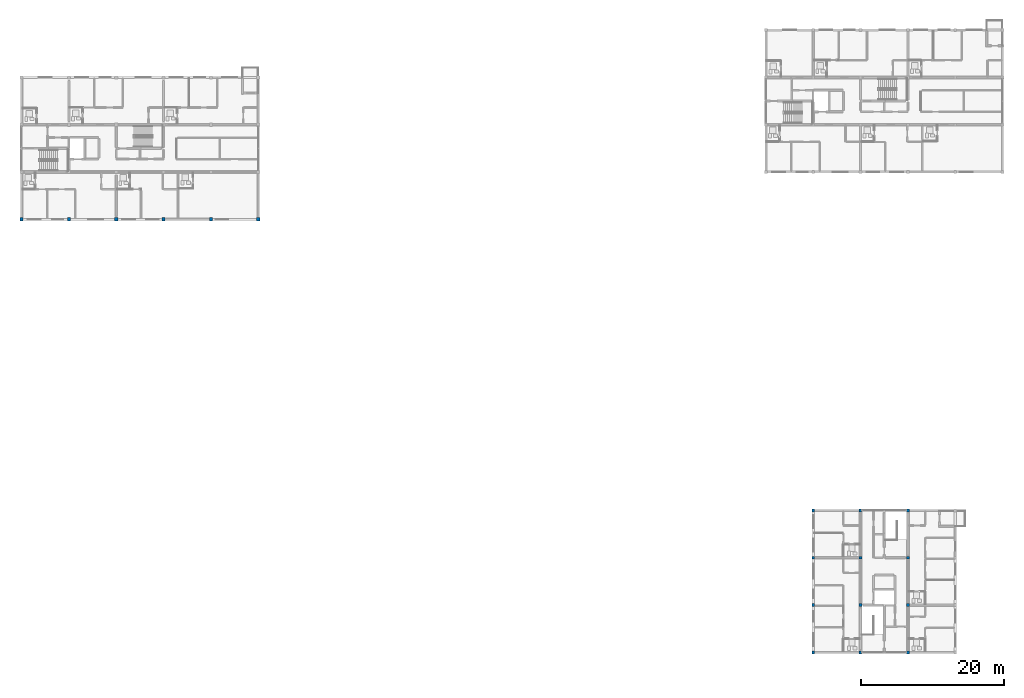
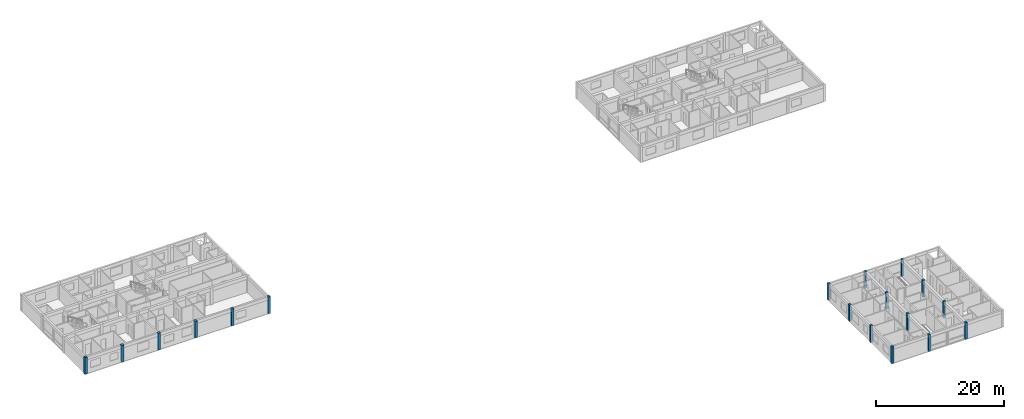
# One storey, part 1 of 34: 18 columns.
"""IFC4 building model written with IfcOpenShell, lengths in metres."""

from ifc_helpers import new_model, si_unit, direction, frame, origin, origin_2d, place, context, subcontext, project, spatial, rectangle, extrude, material, material_profile, profile_set, type_object, element, save


model = new_model("IFC4")

# Units and contexts
model_context = context("Model", 3, precision=1e-05, world=origin(), true_north=direction((0.0, 1.0)))
body_context = subcontext(model_context, "Body", "Model", "MODEL_VIEW")
ifc_project = project(units=[si_unit("LENGTHUNIT", "METRE"), si_unit("AREAUNIT", "SQUARE_METRE"), si_unit("VOLUMEUNIT", "CUBIC_METRE"), si_unit("PLANEANGLEUNIT", "RADIAN"), si_unit("MASSUNIT", "GRAM", prefix="KILO")], contexts=[model_context])

# Site, building, storey
site_placement = place(None, origin())
site = spatial("IfcSite", under=ifc_project, at=site_placement, CompositionType="ELEMENT")
building_placement = place(site_placement, origin())
building = spatial("IfcBuilding", under=site, at=building_placement, Name="Kernevlak Ridge Housing Community", CompositionType="ELEMENT")
storey_placement = place(building_placement, frame((0.0, 0.0, 40.39990234375)))
storey = spatial("IfcBuildingStorey", under=building, at=storey_placement, Name="L12", CompositionType="ELEMENT", Elevation=40.39990234375)

# Columns
ifc_material = material(Name="Concrete C35/45", Category="concrete")
ifc_material_profile_1 = material_profile(ifc_material, rectangle(XDim=0.449951171875, YDim=0.449951171875, at=origin_2d()), Name="RC 450x450")
ifc_profile_set_1 = profile_set([ifc_material_profile_1], Name="Concrete C35/45")
column_type_1 = type_object("IfcColumnType", Name="C-04", PredefinedType="COLUMN", material=ifc_profile_set_1)
for number, where, z_axis, x_axis, name in (
    (1, (15.60009765625, 76.0, 0.0), (0.0, 0.0, 1.0), (1.0, 0.0, 0.0), "Column C-04 COL-A-L12-00-0"),
    (2, (22.199951171875, 76.0, 0.0), (0.0, 0.0, 1.0), (1.0, 0.0, 0.0), "Column C-04 COL-A-L12-01-0"),
    (3, (28.800048828125, 76.0, 0.0), (0.0, 0.0, 1.0), (1.0, 0.0, 0.0), "Column C-04 COL-A-L12-02-0"),
    (4, (35.39990234375, 76.0, 0.0), (0.0, 0.0, 1.0), (1.0, 0.0, 0.0), "Column C-04 COL-A-L12-03-0"),
    (5, (42.0, 76.0, 0.0), (0.0, 0.0, 1.0), (1.0, 0.0, 0.0), "Column C-04 COL-A-L12-04-0"),
    (6, (48.60009765625, 76.0, 0.0), (0.0, 0.0, 1.0), (1.0, 0.0, 0.0), "Column C-04 COL-A-L12-05-0"),
):
    element("IfcColumn", number, at=place(storey_placement, frame(where, z_axis=z_axis, x_axis=x_axis)), inside=storey, type_object=column_type_1, Name=name, PredefinedType="COLUMN", context=body_context, shape_type="SweptSolid", body=[
        extrude(rectangle(XDim=0.449951171875, YDim=0.449951171875, at=origin_2d()), origin(), (0.0, 0.0, 1.0), 3.2001953125),
    ])
ifc_material_profile_2 = material_profile(ifc_material, rectangle(XDim=0.39990234375, YDim=0.39990234375, at=origin_2d()), Name="RC 400x400")
ifc_profile_set_2 = profile_set([ifc_material_profile_2], Name="Concrete C35/45")
column_type_2 = type_object("IfcColumnType", Name="C-05", PredefinedType="COLUMN", material=ifc_profile_set_2)
for number, where, z_axis, x_axis, name in (
    (7, (126.0, 15.60009765625, 0.0), (0.0, 0.0, 1.0), (1.0, 0.0, 0.0), "Column C-05 COL-C-L12-00-0"),
    (8, (132.60009765625, 15.60009765625, 0.0), (0.0, 0.0, 1.0), (1.0, 0.0, 0.0), "Column C-05 COL-C-L12-00-1"),
    (9, (139.199951171875, 15.60009765625, 0.0), (0.0, 0.0, 1.0), (1.0, 0.0, 0.0), "Column C-05 COL-C-L12-00-2"),
    (10, (126.0, 22.199951171875, 0.0), (0.0, 0.0, 1.0), (1.0, 0.0, 0.0), "Column C-05 COL-C-L12-01-0"),
    (11, (132.60009765625, 22.199951171875, 0.0), (0.0, 0.0, 1.0), (1.0, 0.0, 0.0), "Column C-05 COL-C-L12-01-1"),
    (12, (139.199951171875, 22.199951171875, 0.0), (0.0, 0.0, 1.0), (1.0, 0.0, 0.0), "Column C-05 COL-C-L12-01-2"),
    (13, (126.0, 28.800048828125, 0.0), (0.0, 0.0, 1.0), (1.0, 0.0, 0.0), "Column C-05 COL-C-L12-02-0"),
    (14, (132.60009765625, 28.800048828125, 0.0), (0.0, 0.0, 1.0), (1.0, 0.0, 0.0), "Column C-05 COL-C-L12-02-1"),
    (15, (139.199951171875, 28.800048828125, 0.0), (0.0, 0.0, 1.0), (1.0, 0.0, 0.0), "Column C-05 COL-C-L12-02-2"),
    (16, (126.0, 35.39990234375, 0.0), (0.0, 0.0, 1.0), (1.0, 0.0, 0.0), "Column C-05 COL-C-L12-03-0"),
    (17, (132.60009765625, 35.39990234375, 0.0), (0.0, 0.0, 1.0), (1.0, 0.0, 0.0), "Column C-05 COL-C-L12-03-1"),
    (18, (139.199951171875, 35.39990234375, 0.0), (0.0, 0.0, 1.0), (1.0, 0.0, 0.0), "Column C-05 COL-C-L12-03-2"),
):
    element("IfcColumn", number, at=place(storey_placement, frame(where, z_axis=z_axis, x_axis=x_axis)), inside=storey, type_object=column_type_2, Name=name, PredefinedType="COLUMN", context=body_context, shape_type="SweptSolid", body=[
        extrude(rectangle(XDim=0.39990234375, YDim=0.39990234375, at=origin_2d()), origin(), (0.0, 0.0, 1.0), 3.2001953125),
    ])

save(model, "model.ifc")
